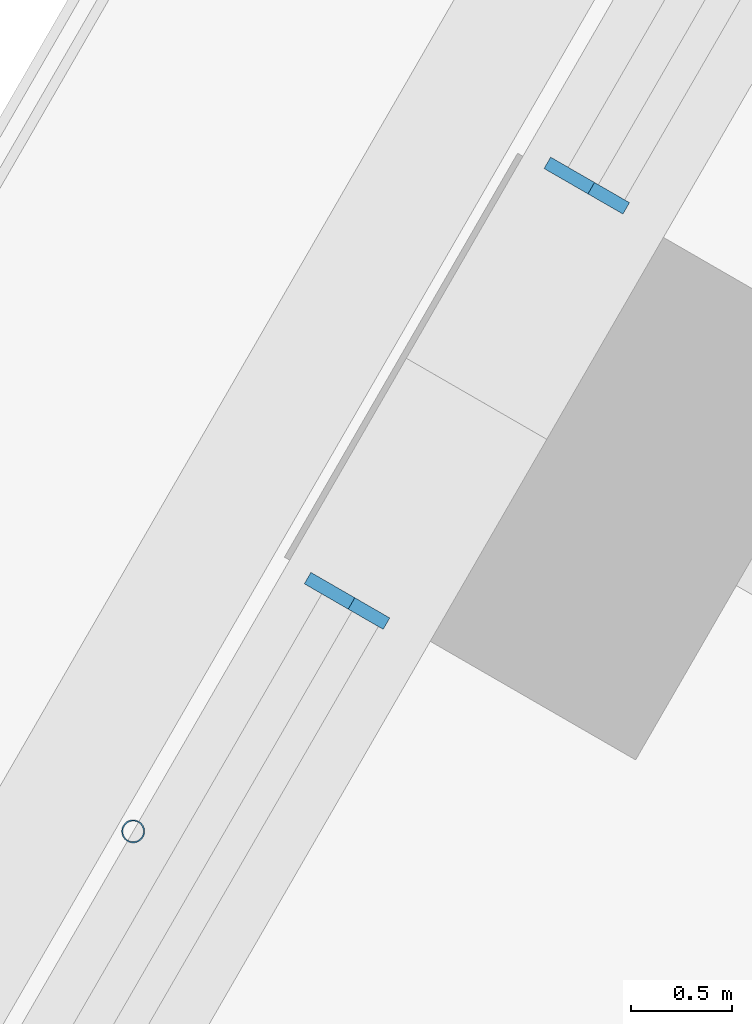
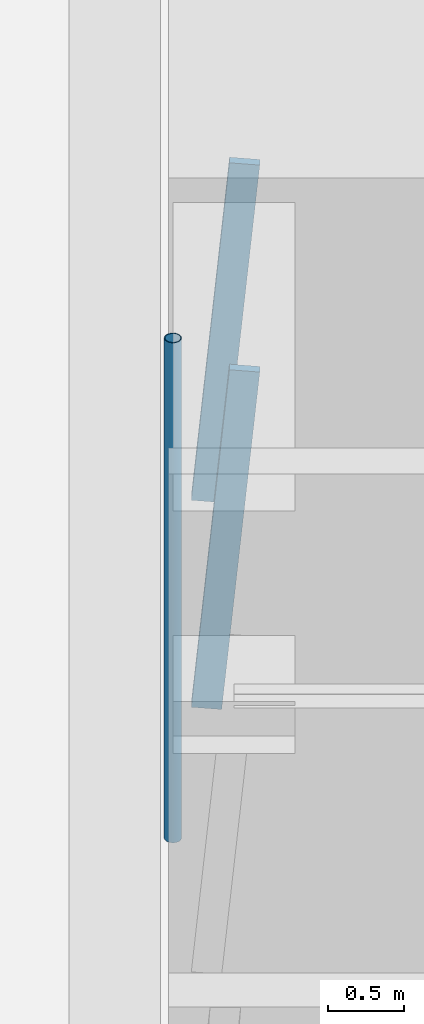
# One storey, part 7 of 23: 3 members, 2 elements without a shape of their own.
"""IFC4 building model written with IfcOpenShell, lengths in metres."""

from ifc_helpers import new_model, si_unit, direction, frame, origin, origin_2d, place, context, subcontext, project, spatial, rectangle, hollow_circle, extrude, material, material_profile, profile_set, type_object, element, aggregate, save


model = new_model("IFC4")

# Units and contexts
model_context = context("Model", 3, precision=1e-05, world=origin(), true_north=direction((0.0, 1.0)))
body_context = subcontext(model_context, "Body", "Model", "MODEL_VIEW")
ifc_project = project(units=[si_unit("LENGTHUNIT", "METRE"), si_unit("AREAUNIT", "SQUARE_METRE"), si_unit("VOLUMEUNIT", "CUBIC_METRE"), si_unit("PLANEANGLEUNIT", "RADIAN"), si_unit("MASSUNIT", "GRAM", prefix="KILO")], contexts=[model_context])

# Site, building, storey
site_placement = place(None, origin())
site = spatial("IfcSite", under=ifc_project, at=site_placement, CompositionType="ELEMENT")
building_placement = place(site_placement, origin())
building = spatial("IfcBuilding", under=site, at=building_placement, Name="Tarfa Lantern Tower", CompositionType="ELEMENT")
storey_placement = place(building_placement, frame((0.0, 0.0, 27.699951171875)))
storey = spatial("IfcBuildingStorey", under=building, at=storey_placement, Name="L05", CompositionType="ELEMENT", Elevation=27.699951171875)

# Curtain wall, member
ifc_material_1 = material(Name="Aluminium framed curtain wall", Category="aluminium")
curtain_wall_type = type_object("IfcCurtainWallType", Name="CW1 CANTED GLAZING LOW ZONE 2700", PredefinedType="USERDEFINED", material=ifc_material_1)
curtain_wall_1_placement = place(storey_placement, origin())
curtain_wall_1 = element("IfcCurtainWall", 1, at=curtain_wall_1_placement, inside=storey, type_object=curtain_wall_type, Name="CW1 NW L05", ObjectType="CURTAIN WALL", PredefinedType="USERDEFINED")
ifc_material_2 = material(Name="Aluminium mullion", Category="aluminium")
ifc_material_profile_1 = material_profile(ifc_material_2, rectangle(XDim=0.06494140625, YDim=0.199951171875, at=origin_2d()), Name="AL MULLION 65x200")
ifc_profile_set_1 = profile_set([ifc_material_profile_1], Name="Aluminium mullion")
member_type_1 = type_object("IfcMemberType", Name="CWM1 MULLION 65x200", PredefinedType="MULLION", material=ifc_profile_set_1)
member_1_placement = place(storey_placement, frame((-31.46142578125, 13.307373046875, 0.0), z_axis=(0.07986442134, -0.046099868913, 0.99573916077), x_axis=(0.499919672301, 0.866071776036, 0.0)))
member_1 = element("IfcMember", 2, at=member_1_placement, type_object=member_type_1, Name="CW1 mullion 2", PredefinedType="MULLION", context=body_context, shape_type="SweptSolid", body=[
    extrude(rectangle(XDim=0.06494140625, YDim=0.199951171875, at=origin_2d()), origin(), (0.0, 0.0, 1.0), 2.71142578125),
])
aggregate(curtain_wall_1, [member_1])

curtain_wall_2_placement = place(storey_placement, origin())
curtain_wall_2 = element("IfcCurtainWall", 3, at=curtain_wall_2_placement, inside=storey, type_object=curtain_wall_type, Name="CW1 NW L05", ObjectType="CURTAIN WALL", PredefinedType="USERDEFINED")
member_2_placement = place(storey_placement, frame((-32.643798828125, 11.25927734375, 0.0), z_axis=(0.07986442134, -0.046099868913, 0.99573916077), x_axis=(0.499919672301, 0.866071776036, 0.0)))
member_2 = element("IfcMember", 4, at=member_2_placement, type_object=member_type_1, Name="CW1 mullion 1", PredefinedType="MULLION", context=body_context, shape_type="SweptSolid", body=[
    extrude(rectangle(XDim=0.06494140625, YDim=0.199951171875, at=origin_2d()), origin(), (0.0, 0.0, 1.0), 2.71142578125),
])
aggregate(curtain_wall_2, [member_2])

# Member
ifc_material_3 = material(Name="Steel S355", Category="steel")
ifc_material_profile_2 = material_profile(ifc_material_3, hollow_circle(Radius=0.05712890625, WallThickness=0.00634765625, at=origin_2d()), Name="CHS114.3x6.3")
ifc_profile_set_2 = profile_set([ifc_material_profile_2], Name="Steel S355")
member_type_2 = type_object("IfcMemberType", Name="TR1 GREEN WALL TRELLIS CHS114.3x6.3", PredefinedType="USERDEFINED", material=ifc_profile_set_2)
member_3_placement = place(storey_placement, frame((-33.59033203125, 10.06005859375, 0.0), z_axis=(0.0, 0.0, 1.0), x_axis=(1.0, 0.0, 0.0)))
element("IfcMember", 5, at=member_3_placement, inside=storey, type_object=member_type_2, Name="Trellis post NW 2", ObjectType="TRELLIS", PredefinedType="USERDEFINED", context=body_context, shape_type="SweptSolid", body=[
    extrude(hollow_circle(Radius=0.05712890625, WallThickness=0.00634765625, at=origin_2d()), origin(), (0.0, 0.0, 1.0), 4.0),
])

save(model, "model.ifc")
